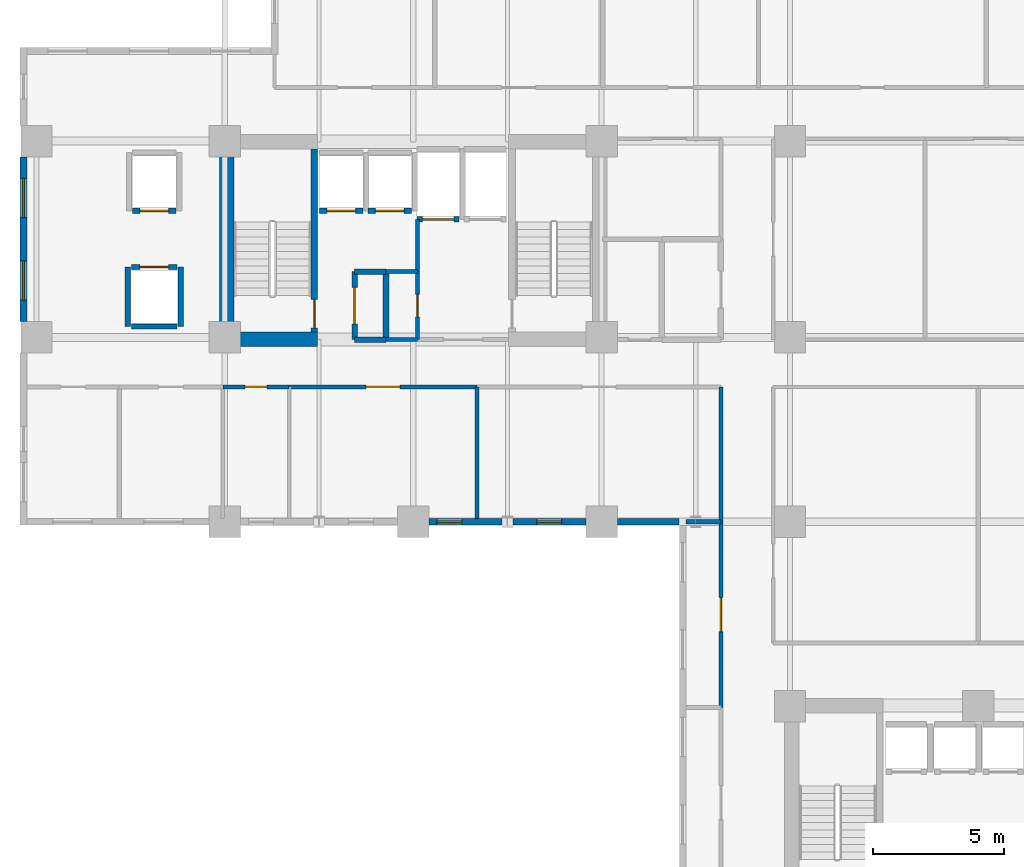
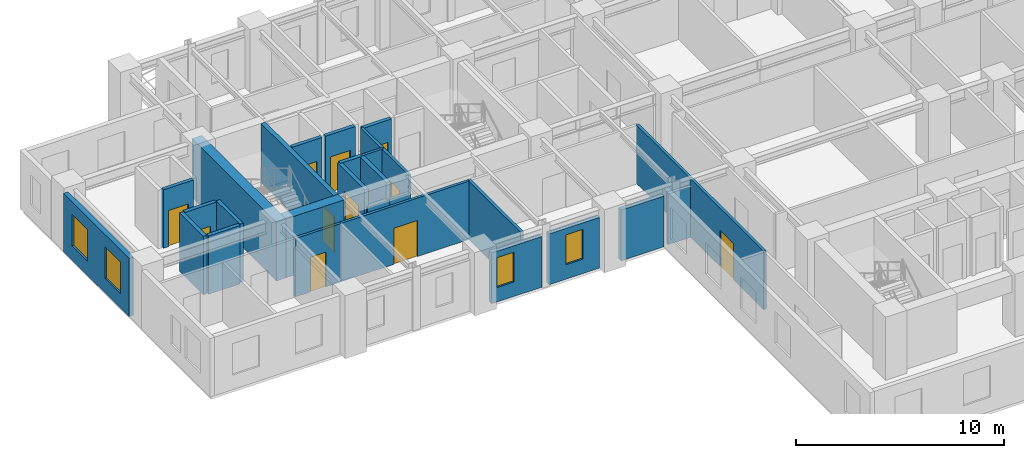
# One storey, part 3 of 11: 29 walls, 11 doors, 4 windows, 15 openings.
"""IFC4 building model written with IfcOpenShell, lengths in metres."""

from ifc_helpers import new_model, si_unit, direction, frame, frame_2d, origin, place, context, subcontext, project, spatial, rectangle, extrude, material, layer, layer_set, type_object, element, fill, save


model = new_model("IFC4")

# Units and contexts
model_context = context("Model", 3, precision=1e-05, world=origin(), true_north=direction((0.0, 1.0)))
body_context = subcontext(model_context, "Body", "Model", "MODEL_VIEW")
ifc_project = project(units=[si_unit("LENGTHUNIT", "METRE"), si_unit("AREAUNIT", "SQUARE_METRE"), si_unit("VOLUMEUNIT", "CUBIC_METRE"), si_unit("PLANEANGLEUNIT", "RADIAN"), si_unit("MASSUNIT", "GRAM", prefix="KILO")], contexts=[model_context])

# Site, building, storey
site_placement = place(None, origin())
site = spatial("IfcSite", under=ifc_project, at=site_placement, CompositionType="ELEMENT")
building_placement = place(site_placement, origin())
building = spatial("IfcBuilding", under=site, at=building_placement, Name="Kaliganga Portal Commons", CompositionType="ELEMENT")
storey_placement = place(building_placement, frame((0.0, 0.0, 115.60009765625)))
storey = spatial("IfcBuildingStorey", under=building, at=storey_placement, Name="L29", CompositionType="ELEMENT", Elevation=115.60009765625)

# Walls
ifc_material_1 = material(Name="Concrete C60/75", Category="concrete")
ifc_layer_1 = layer(ifc_material_1, 0.550048828125)
ifc_layer_set_1 = layer_set([ifc_layer_1], Name="Concrete C60/75")
wall_type_1 = type_object("IfcWallType", Name="WL-CORE-550", PredefinedType="SHEAR", material=ifc_layer_set_1)
wall_1_placement = place(storey_placement, frame((14.47509765625, 28.300048828125, 0.0), z_axis=(0.0, 0.0, 1.0), x_axis=(0.0, 1.0, 0.0)))
element("IfcWall", 1, at=wall_1_placement, inside=storey, type_object=wall_type_1, Name="Core A West Shear Wall L29", PredefinedType="SHEAR", context=body_context, shape_type="SweptSolid", body=[
    extrude(rectangle(XDim=8.099853515625, YDim=0.550048828125, at=frame_2d((4.0498046875, 0.0))), origin(), (0.0, 0.0, 1.0), 3.449951171875),
])
wall_2_placement = place(storey_placement, frame((14.75, 28.574951171875, 0.0), z_axis=(0.0, 0.0, 1.0), x_axis=(1.0, 0.0, 0.0)))
element("IfcWall", 2, at=wall_2_placement, inside=storey, type_object=wall_type_1, Name="Core A S-West Shear Wall L29", PredefinedType="SHEAR", context=body_context, shape_type="SweptSolid", body=[
    extrude(rectangle(XDim=3.199951171875, YDim=0.550048828125, at=frame_2d((1.60009765625, 0.0))), origin(), (0.0, 0.0, 1.0), 3.449951171875),
])

# Wall, openings, windows
ifc_material_2 = material(Name="Insulated Aluminium-Clad Spandrel Assembly", Category="aluminium")
ifc_layer_2 = layer(ifc_material_2, 0.260009765625)
ifc_layer_set_2 = layer_set([ifc_layer_2], Name="Insulated Aluminium-Clad Spandrel Assembly")
wall_type_2 = type_object("IfcWallType", Name="WL-EXT-SPAND-260", PredefinedType="STANDARD", material=ifc_layer_set_2)
wall_3_placement = place(storey_placement, frame((6.699951171875, 29.2509765625, 0.0), z_axis=(0.0, 0.0, 1.0), x_axis=(0.0, 1.0, 0.0)))
wall_3 = element("IfcWall", 3, at=wall_3_placement, inside=storey, type_object=wall_type_2, Name="Exterior Envelope Wall L29 P1-E09-S2", PredefinedType="STANDARD", context=body_context, shape_type="SweptSolid", body=[
    extrude(rectangle(XDim=6.298095703125, YDim=0.260009765625, at=frame_2d((3.14892578125, 0.0))), origin(), (0.0, 0.0, 1.0), 3.429931640625),
])
opening_1_placement = place(wall_3_placement, frame((0.824462890625, 0.0, 0.85009765625)))
opening_1 = element("IfcOpeningElement", 4, at=opening_1_placement, cuts=wall_3, Name="Opening W-02", PredefinedType="OPENING", context=body_context, shape_type="SweptSolid", body=[
    extrude(rectangle(XDim=1.5, YDim=1.85009765625, at=frame_2d((0.75, 0.925048828125))), frame((0.0, 0.14013671875, 0.0), z_axis=(0.0, -1.0, 0.0), x_axis=(1.0, 0.0, 0.0)), (0.0, 0.0, 1.0), 0.280029296875),
])
opening_2_placement = place(wall_3_placement, frame((3.973388671875, 0.0, 0.85009765625)))
opening_2 = element("IfcOpeningElement", 5, at=opening_2_placement, cuts=wall_3, Name="Opening W-02", PredefinedType="OPENING", context=body_context, shape_type="SweptSolid", body=[
    extrude(rectangle(XDim=1.5, YDim=1.85009765625, at=frame_2d((0.75, 0.925048828125))), frame((0.0, 0.14013671875, 0.0), z_axis=(0.0, -1.0, 0.0), x_axis=(1.0, 0.0, 0.0)), (0.0, 0.0, 1.0), 0.280029296875),
])
ifc_material_3 = material(Name="Thermally Broken Aluminium and Low-E Double Glazing", Category="aluminium")
window_type_1 = type_object("IfcWindowType", Name="WIN-STD-1500", PartitioningType="DOUBLE_PANEL_VERTICAL", PredefinedType="WINDOW", material=ifc_material_3)
window_1_placement = place(opening_1_placement, origin())
window_1 = element("IfcWindow", 6, at=window_1_placement, inside=storey, type_object=window_type_1, Name="Facade Window L29-P1E09S2-00", OverallHeight=1.85009765625, OverallWidth=1.5, PartitioningType="SINGLE_PANEL", PredefinedType="WINDOW", context=body_context, shape_type="SweptSolid", body=[
    extrude(rectangle(XDim=1.5, YDim=1.85009765625, at=frame_2d((0.75, 0.925048828125))), frame((0.0, 0.030029296875, 0.0), z_axis=(0.0, -1.0, 0.0), x_axis=(1.0, 0.0, 0.0)), (0.0, 0.0, 1.0), 0.06005859375),
])
fill(opening_1, window_1)
window_2_placement = place(opening_2_placement, origin())
window_2 = element("IfcWindow", 7, at=window_2_placement, inside=storey, type_object=window_type_1, Name="Facade Window L29-P1E09S2-01", OverallHeight=1.85009765625, OverallWidth=1.5, PartitioningType="SINGLE_PANEL", PredefinedType="WINDOW", context=body_context, shape_type="SweptSolid", body=[
    extrude(rectangle(XDim=1.5, YDim=1.85009765625, at=frame_2d((0.75, 0.925048828125))), frame((0.0, 0.030029296875, 0.0), z_axis=(0.0, -1.0, 0.0), x_axis=(1.0, 0.0, 0.0)), (0.0, 0.0, 1.0), 0.06005859375),
])
fill(opening_2, window_2)

# Wall, opening, window
wall_4_placement = place(storey_placement, frame((24.994384765625, 21.60009765625, 0.0), z_axis=(0.0, 0.0, 1.0), x_axis=(-1.0, 0.0, 0.0)))
wall_4 = element("IfcWall", 8, at=wall_4_placement, inside=storey, type_object=wall_type_2, Name="Exterior Envelope Wall L29 P1-E10-S4", PredefinedType="STANDARD", context=body_context, shape_type="SweptSolid", body=[
    extrude(rectangle(XDim=2.79345703125, YDim=0.260009765625, at=frame_2d((1.396728515625, 0.0))), origin(), (0.0, 0.0, 1.0), 2.97998046875),
])
opening_3_placement = place(wall_4_placement, frame((1.536376953125, 0.0, 0.85009765625)))
opening_3 = element("IfcOpeningElement", 9, at=opening_3_placement, cuts=wall_4, Name="Opening W-04", PredefinedType="OPENING", context=body_context, shape_type="SweptSolid", body=[
    extrude(rectangle(XDim=0.949951171875, YDim=1.75, at=frame_2d((0.47509765625, 0.875))), frame((0.0, 0.14013671875, 0.0), z_axis=(0.0, -1.0, 0.0), x_axis=(1.0, 0.0, 0.0)), (0.0, 0.0, 1.0), 0.280029296875),
])
window_type_2 = type_object("IfcWindowType", Name="WIN-NARROW-950", PartitioningType="SINGLE_PANEL", PredefinedType="WINDOW", material=ifc_material_3)
window_3_placement = place(opening_3_placement, origin())
window_3 = element("IfcWindow", 10, at=window_3_placement, inside=storey, type_object=window_type_2, Name="Facade Window L29-P1E10S4-N4", OverallHeight=1.75, OverallWidth=0.949951171875, PartitioningType="SINGLE_PANEL", PredefinedType="WINDOW", context=body_context, shape_type="SweptSolid", body=[
    extrude(rectangle(XDim=0.949951171875, YDim=1.75, at=frame_2d((0.47509765625, 0.875))), frame((0.0, 0.030029296875, 0.0), z_axis=(0.0, -1.0, 0.0), x_axis=(1.0, 0.0, 0.0)), (0.0, 0.0, 1.0), 0.06005859375),
])
fill(opening_3, window_3)

wall_5_placement = place(storey_placement, frame((28.198974609375, 21.60009765625, 0.0), z_axis=(0.0, 0.0, 1.0), x_axis=(-1.0, 0.0, 0.0)))
wall_5 = element("IfcWall", 11, at=wall_5_placement, inside=storey, type_object=wall_type_2, Name="Exterior Envelope Wall L29 P1-E10-S5", PredefinedType="STANDARD", context=body_context, shape_type="SweptSolid", body=[
    extrude(rectangle(XDim=2.79345703125, YDim=0.260009765625, at=frame_2d((1.396728515625, 0.0))), origin(), (0.0, 0.0, 1.0), 2.97998046875),
])
opening_4_placement = place(wall_5_placement, frame((0.921875, 0.0, 0.85009765625)))
opening_4 = element("IfcOpeningElement", 12, at=opening_4_placement, cuts=wall_5, Name="Opening W-04", PredefinedType="OPENING", context=body_context, shape_type="SweptSolid", body=[
    extrude(rectangle(XDim=0.949951171875, YDim=1.75, at=frame_2d((0.47509765625, 0.875))), frame((0.0, 0.14013671875, 0.0), z_axis=(0.0, -1.0, 0.0), x_axis=(1.0, 0.0, 0.0)), (0.0, 0.0, 1.0), 0.280029296875),
])
window_4_placement = place(opening_4_placement, origin())
window_4 = element("IfcWindow", 13, at=window_4_placement, inside=storey, type_object=window_type_2, Name="Facade Window L29-P1E10S5-00", OverallHeight=1.75, OverallWidth=0.949951171875, PartitioningType="SINGLE_PANEL", PredefinedType="WINDOW", context=body_context, shape_type="SweptSolid", body=[
    extrude(rectangle(XDim=0.949951171875, YDim=1.75, at=frame_2d((0.47509765625, 0.875))), frame((0.0, 0.030029296875, 0.0), z_axis=(0.0, -1.0, 0.0), x_axis=(1.0, 0.0, 0.0)), (0.0, 0.0, 1.0), 0.06005859375),
])
fill(opening_4, window_4)

# Wall
wall_6_placement = place(storey_placement, frame((31.764892578125, 21.60009765625, 0.0), z_axis=(0.0, 0.0, 1.0), x_axis=(-1.0, 0.0, 0.0)))
element("IfcWall", 14, at=wall_6_placement, inside=storey, type_object=wall_type_2, Name="Exterior Envelope Wall L29 P1-E10-S6", PredefinedType="STANDARD", context=body_context, shape_type="SweptSolid", body=[
    extrude(rectangle(XDim=2.364013671875, YDim=0.260009765625, at=frame_2d((1.18212890625, 0.0))), origin(), (0.0, 0.0, 1.0), 2.97998046875),
])

# Wall, opening, door
ifc_material_4 = material(Name="Fire-Rated Gypsum Board on Steel Stud", Category="steel")
ifc_layer_3 = layer(ifc_material_4, 0.14990234375)
ifc_layer_set_3 = layer_set([ifc_layer_3], Name="Fire-Rated Gypsum Board on Steel Stud")
wall_type_3 = type_object("IfcWallType", Name="WL-PART-CORR-150", PredefinedType="PARTITIONING", material=ifc_layer_set_3)
wall_7_placement = place(storey_placement, frame((16.860107421875, 26.760009765625, 0.0), z_axis=(0.0, 0.0, 1.0), x_axis=(1.0, 0.0, 0.0)))
wall_7 = element("IfcWall", 15, at=wall_7_placement, inside=storey, type_object=wall_type_3, Name="Interior Partition L29-012", PredefinedType="PARTITIONING", context=body_context, shape_type="SweptSolid", body=[
    extrude(rectangle(XDim=7.179931640625, YDim=0.14990234375, at=frame_2d((3.58984375, 0.0))), origin(), (0.0, 0.0, 1.0), 3.429931640625),
])
opening_5_placement = place(wall_7_placement, frame((2.93994140625, 0.0, 0.0)))
opening_5 = element("IfcOpeningElement", 16, at=opening_5_placement, cuts=wall_7, Name="Opening RD-03", PredefinedType="OPENING", context=body_context, shape_type="SweptSolid", body=[
    extrude(rectangle(XDim=1.300048828125, YDim=2.1201171875, at=frame_2d((0.64990234375, 1.06005859375))), frame((0.0, 0.0849609375, 0.0), z_axis=(0.0, -1.0, 0.0), x_axis=(1.0, 0.0, 0.0)), (0.0, 0.0, 1.0), 0.169921875),
])
ifc_material_5 = material(Name="Glazed Timber Seminar Vision Door", Category="wood")
door_type_1 = type_object("IfcDoorType", Name="DR-STUDY-1300", OperationType="DOUBLE_DOOR_SINGLE_SWING", PredefinedType="DOOR", material=ifc_material_5)
door_1_placement = place(opening_5_placement, origin())
door_1 = element("IfcDoor", 17, at=door_1_placement, inside=storey, type_object=door_type_1, Name="Interior Door L29-AS04", OperationType="DOUBLE_DOOR_SINGLE_SWING", OverallHeight=2.1201171875, OverallWidth=1.300048828125, PredefinedType="DOOR", context=body_context, shape_type="SweptSolid", body=[
    extrude(rectangle(XDim=1.300048828125, YDim=2.1201171875, at=frame_2d((0.64990234375, 1.06005859375))), frame((0.0, 0.02490234375, 0.0), z_axis=(0.0, -1.0, 0.0), x_axis=(1.0, 0.0, 0.0)), (0.0, 0.0, 1.0), 0.050048828125),
])
fill(opening_5, door_1)

wall_8_placement = place(storey_placement, frame((33.360107421875, 14.5, 0.0), z_axis=(0.0, 0.0, 1.0), x_axis=(0.0, 1.0, 0.0)))
wall_8 = element("IfcWall", 18, at=wall_8_placement, inside=storey, type_object=wall_type_3, Name="Interior Partition L29-013", PredefinedType="PARTITIONING", context=body_context, shape_type="SweptSolid", body=[
    extrude(rectangle(XDim=7.10009765625, YDim=0.14990234375, at=frame_2d((3.550048828125, 0.0))), origin(), (0.0, 0.0, 1.0), 3.429931640625),
])
opening_6_placement = place(wall_8_placement, frame((2.89990234375, 0.0, 0.0)))
opening_6 = element("IfcOpeningElement", 19, at=opening_6_placement, cuts=wall_8, Name="Opening RD-03", PredefinedType="OPENING", context=body_context, shape_type="SweptSolid", body=[
    extrude(rectangle(XDim=1.300048828125, YDim=2.1201171875, at=frame_2d((0.64990234375, 1.06005859375))), frame((0.0, 0.0849609375, 0.0), z_axis=(0.0, -1.0, 0.0), x_axis=(1.0, 0.0, 0.0)), (0.0, 0.0, 1.0), 0.169921875),
])
door_2_placement = place(opening_6_placement, origin())
door_2 = element("IfcDoor", 20, at=door_2_placement, inside=storey, type_object=door_type_1, Name="Interior Door L29-KW02", OperationType="DOUBLE_DOOR_SINGLE_SWING", OverallHeight=2.1201171875, OverallWidth=1.300048828125, PredefinedType="DOOR", context=body_context, shape_type="SweptSolid", body=[
    extrude(rectangle(XDim=1.300048828125, YDim=2.1201171875, at=frame_2d((0.64990234375, 1.06005859375))), frame((0.0, 0.02490234375, 0.0), z_axis=(0.0, -1.0, 0.0), x_axis=(1.0, 0.0, 0.0)), (0.0, 0.0, 1.0), 0.050048828125),
])
fill(opening_6, door_2)

# Wall
wall_9_placement = place(storey_placement, frame((33.360107421875, 21.60009765625, 0.0), z_axis=(0.0, 0.0, 1.0), x_axis=(0.0, 1.0, 0.0)))
element("IfcWall", 21, at=wall_9_placement, inside=storey, type_object=wall_type_3, Name="Interior Partition L29-022", PredefinedType="PARTITIONING", context=body_context, shape_type="SweptSolid", body=[
    extrude(rectangle(XDim=5.159912109375, YDim=0.14990234375, at=frame_2d((2.580078125, 0.0))), origin(), (0.0, 0.0, 1.0), 3.429931640625),
])

# Wall, opening, door
wall_10_placement = place(storey_placement, frame((21.760009765625, 28.56005859375, 0.0), z_axis=(0.0, 0.0, 1.0), x_axis=(0.0, 1.0, 0.0)))
wall_10 = element("IfcWall", 22, at=wall_10_placement, inside=storey, type_object=wall_type_3, Name="Interior Partition L29-032", PredefinedType="PARTITIONING", context=body_context, shape_type="SweptSolid", body=[
    extrude(rectangle(XDim=2.599853515625, YDim=0.14990234375, at=frame_2d((1.2998046875, 0.0))), origin(), (0.0, 0.0, 1.0), 3.429931640625),
])
opening_7_placement = place(wall_10_placement, frame((0.8701171875, 0.0, 0.0)))
opening_7 = element("IfcOpeningElement", 23, at=opening_7_placement, cuts=wall_10, Name="Opening WD-02", PredefinedType="OPENING", context=body_context, shape_type="SweptSolid", body=[
    extrude(rectangle(XDim=0.860107421875, YDim=2.02001953125, at=frame_2d((0.43017578125, 1.010009765625))), frame((0.0, 0.0849609375, 0.0), z_axis=(0.0, -1.0, 0.0), x_axis=(1.0, 0.0, 0.0)), (0.0, 0.0, 1.0), 0.169921875),
])
ifc_material_6 = material(Name="Fire-Rated Utility Closet Door", Category="wood")
door_type_2 = type_object("IfcDoorType", Name="DR-STORE-800", OperationType="NOTDEFINED", PredefinedType="DOOR", material=ifc_material_6)
door_3_placement = place(opening_7_placement, origin())
door_3 = element("IfcDoor", 24, at=door_3_placement, inside=storey, type_object=door_type_2, Name="Interior Door L29-CIN_A2", OperationType="SINGLE_SWING_RIGHT", OverallHeight=2.02001953125, OverallWidth=0.860107421875, PredefinedType="DOOR", context=body_context, shape_type="SweptSolid", body=[
    extrude(rectangle(XDim=0.860107421875, YDim=2.02001953125, at=frame_2d((0.43017578125, 1.010009765625))), frame((0.0, 0.02490234375, 0.0), z_axis=(0.0, -1.0, 0.0), x_axis=(1.0, 0.0, 0.0)), (0.0, 0.0, 1.0), 0.050048828125),
])
fill(opening_7, door_3)

wall_11_placement = place(storey_placement, frame((14.320068359375, 26.760009765625, 0.0), z_axis=(0.0, 0.0, 1.0), x_axis=(1.0, 0.0, 0.0)))
wall_11 = element("IfcWall", 25, at=wall_11_placement, inside=storey, type_object=wall_type_3, Name="Interior Partition L29-034", PredefinedType="PARTITIONING", context=body_context, shape_type="SweptSolid", body=[
    extrude(rectangle(XDim=2.5400390625, YDim=0.14990234375, at=frame_2d((1.27001953125, 0.0))), origin(), (0.0, 0.0, 1.0), 3.429931640625),
])
opening_8_placement = place(wall_11_placement, frame((0.844970703125, 0.0, 0.0)))
opening_8 = element("IfcOpeningElement", 26, at=opening_8_placement, cuts=wall_11, Name="Opening WD-01", PredefinedType="OPENING", context=body_context, shape_type="SweptSolid", body=[
    extrude(rectangle(XDim=0.85009765625, YDim=2.0400390625, at=frame_2d((0.425048828125, 1.02001953125))), frame((0.0, 0.0849609375, 0.0), z_axis=(0.0, -1.0, 0.0), x_axis=(1.0, 0.0, 0.0)), (0.0, 0.0, 1.0), 0.169921875),
])
ifc_material_7 = material(Name="Moisture-Resistant Laminate Timber Door", Category="wood")
door_type_3 = type_object("IfcDoorType", Name="DR-WET-850", OperationType="NOTDEFINED", PredefinedType="DOOR", material=ifc_material_7)
door_4_placement = place(opening_8_placement, origin())
door_4 = element("IfcDoor", 27, at=door_4_placement, inside=storey, type_object=door_type_3, Name="Interior Door L29-AS03", OperationType="SINGLE_SWING_RIGHT", OverallHeight=2.0400390625, OverallWidth=0.85009765625, PredefinedType="DOOR", context=body_context, shape_type="SweptSolid", body=[
    extrude(rectangle(XDim=0.85009765625, YDim=2.0400390625, at=frame_2d((0.425048828125, 1.02001953125))), frame((0.0, 0.02490234375, 0.0), z_axis=(0.0, -1.0, 0.0), x_axis=(1.0, 0.0, 0.0)), (0.0, 0.0, 1.0), 0.050048828125),
])
fill(opening_8, door_4)

# Walls
wall_12_placement = place(storey_placement, frame((20.56005859375, 28.56005859375, 0.0), z_axis=(0.0, 0.0, 1.0), x_axis=(1.0, 0.0, 0.0)))
element("IfcWall", 28, at=wall_12_placement, inside=storey, type_object=wall_type_3, Name="Interior Partition L29-039", PredefinedType="PARTITIONING", context=body_context, shape_type="SweptSolid", body=[
    extrude(rectangle(XDim=1.199951171875, YDim=0.14990234375, at=frame_2d((0.60009765625, 0.0))), origin(), (0.0, 0.0, 1.0), 2.429931640625),
])
wall_13_placement = place(storey_placement, frame((20.56005859375, 31.159912109375, 0.0), z_axis=(0.0, 0.0, 1.0), x_axis=(1.0, 0.0, 0.0)))
element("IfcWall", 29, at=wall_13_placement, inside=storey, type_object=wall_type_3, Name="Interior Partition L29-040", PredefinedType="PARTITIONING", context=body_context, shape_type="SweptSolid", body=[
    extrude(rectangle(XDim=1.199951171875, YDim=0.14990234375, at=frame_2d((0.60009765625, 0.0))), origin(), (0.0, 0.0, 1.0), 3.429931640625),
])
wall_14_placement = place(storey_placement, frame((21.760009765625, 31.159912109375, 0.0), z_axis=(0.0, 0.0, 1.0), x_axis=(0.0, 1.0, 0.0)))
element("IfcWall", 30, at=wall_14_placement, inside=storey, type_object=wall_type_3, Name="Interior Partition L29-077", PredefinedType="PARTITIONING", context=body_context, shape_type="SweptSolid", body=[
    extrude(rectangle(XDim=2.0, YDim=0.14990234375, at=frame_2d((1.0, 0.0))), origin(), (0.0, 0.0, 1.0), 3.429931640625),
])

# Wall, opening, door
ifc_material_8 = material(Name="Lightweight blockwork masonry", Category="masonry")
ifc_layer_4 = layer(ifc_material_8, 0.215087890625)
ifc_layer_set_4 = layer_set([ifc_layer_4], Name="Lightweight blockwork masonry")
wall_type_4 = type_object("IfcWallType", Name="WL-PART-PLANT-215", PredefinedType="PARTITIONING", material=ifc_layer_set_4)
wall_15_placement = place(storey_placement, frame((19.360107421875, 28.56005859375, 0.0), z_axis=(0.0, 0.0, 1.0), x_axis=(0.0, 1.0, 0.0)))
wall_15 = element("IfcWall", 31, at=wall_15_placement, inside=storey, type_object=wall_type_4, Name="Interior Partition L29-031", PredefinedType="PARTITIONING", context=body_context, shape_type="SweptSolid", body=[
    extrude(rectangle(XDim=2.599853515625, YDim=0.215087890625, at=frame_2d((1.2998046875, 0.0))), origin(), (0.0, 0.0, 1.0), 3.429931640625),
])
opening_9_placement = place(wall_15_placement, frame((0.60009765625, 0.0, 0.0)))
opening_9 = element("IfcOpeningElement", 32, at=opening_9_placement, cuts=wall_15, Name="Opening PD-01", PredefinedType="OPENING", context=body_context, shape_type="SweptSolid", body=[
    extrude(rectangle(XDim=1.39990234375, YDim=2.14990234375, at=frame_2d((0.699951171875, 1.074951171875))), frame((0.0, 0.11767578125, 0.0), z_axis=(0.0, -1.0, 0.0), x_axis=(1.0, 0.0, 0.0)), (0.0, 0.0, 1.0), 0.235107421875),
])
ifc_material_9 = material(Name="Heavy-Duty Steel Acoustic Louvre Fire Door", Category="steel")
door_type_4 = type_object("IfcDoorType", Name="DR-PLANT-1400", OperationType="DOUBLE_DOOR_SINGLE_SWING", PredefinedType="DOOR", material=ifc_material_9)
door_5_placement = place(opening_9_placement, origin())
door_5 = element("IfcDoor", 33, at=door_5_placement, inside=storey, type_object=door_type_4, Name="Interior Door L29-CIN_A1", OperationType="DOUBLE_DOOR_SINGLE_SWING", OverallHeight=2.14990234375, OverallWidth=1.39990234375, PredefinedType="DOOR", context=body_context, shape_type="SweptSolid", body=[
    extrude(rectangle(XDim=1.39990234375, YDim=2.14990234375, at=frame_2d((0.699951171875, 1.074951171875))), frame((0.0, 0.02490234375, 0.0), z_axis=(0.0, -1.0, 0.0), x_axis=(1.0, 0.0, 0.0)), (0.0, 0.0, 1.0), 0.050048828125),
])
fill(opening_9, door_5)

# Walls
wall_16_placement = place(storey_placement, frame((19.360107421875, 28.56005859375, 0.0), z_axis=(0.0, 0.0, 1.0), x_axis=(1.0, 0.0, 0.0)))
element("IfcWall", 34, at=wall_16_placement, inside=storey, type_object=wall_type_4, Name="Interior Partition L29-041", PredefinedType="PARTITIONING", context=body_context, shape_type="SweptSolid", body=[
    extrude(rectangle(XDim=1.199951171875, YDim=0.215087890625, at=frame_2d((0.60009765625, 0.0))), origin(), (0.0, 0.0, 1.0), 2.429931640625),
])
wall_17_placement = place(storey_placement, frame((19.360107421875, 31.159912109375, 0.0), z_axis=(0.0, 0.0, 1.0), x_axis=(1.0, 0.0, 0.0)))
element("IfcWall", 35, at=wall_17_placement, inside=storey, type_object=wall_type_4, Name="Interior Partition L29-042", PredefinedType="PARTITIONING", context=body_context, shape_type="SweptSolid", body=[
    extrude(rectangle(XDim=1.199951171875, YDim=0.215087890625, at=frame_2d((0.60009765625, 0.0))), origin(), (0.0, 0.0, 1.0), 3.429931640625),
])
wall_18_placement = place(storey_placement, frame((20.56005859375, 28.56005859375, 0.0), z_axis=(0.0, 0.0, 1.0), x_axis=(0.0, 1.0, 0.0)))
element("IfcWall", 36, at=wall_18_placement, inside=storey, type_object=wall_type_4, Name="Interior Partition L29-073", PredefinedType="PARTITIONING", context=body_context, shape_type="SweptSolid", body=[
    extrude(rectangle(XDim=2.599853515625, YDim=0.215087890625, at=frame_2d((1.2998046875, 0.0))), origin(), (0.0, 0.0, 1.0), 3.429931640625),
])
ifc_material_10 = material(Name="Twin-Stud Acoustic Gypsum Partition", Category="gypsum")
ifc_layer_5 = layer(ifc_material_10, 0.1650390625)
ifc_layer_set_5 = layer_set([ifc_layer_5], Name="Twin-Stud Acoustic Gypsum Partition")
wall_type_5 = type_object("IfcWallType", Name="WL-PART-UNIT-165", PredefinedType="PARTITIONING", material=ifc_layer_set_5)
wall_19_placement = place(storey_placement, frame((24.0400390625, 21.73193359375, 0.0), z_axis=(0.0, 0.0, 1.0), x_axis=(0.0, 1.0, 0.0)))
element("IfcWall", 37, at=wall_19_placement, inside=storey, type_object=wall_type_5, Name="Interior Partition L29-060", PredefinedType="PARTITIONING", context=body_context, shape_type="SweptSolid", body=[
    extrude(rectangle(XDim=5.028076171875, YDim=0.1650390625, at=frame_2d((2.51416015625, 0.0))), origin(), (0.0, 0.0, 1.0), 3.429931640625),
])
wall_20_placement = place(storey_placement, frame((32.031982421875, 21.60009765625, 0.0), z_axis=(0.0, 0.0, 1.0), x_axis=(1.0, 0.0, 0.0)))
element("IfcWall", 38, at=wall_20_placement, inside=storey, type_object=wall_type_5, Name="Interior Partition L29-079", PredefinedType="PARTITIONING", context=body_context, shape_type="SweptSolid", body=[
    extrude(rectangle(XDim=1.328125, YDim=0.1650390625, at=frame_2d((0.6640625, 0.0))), origin(), (0.0, 0.0, 1.0), 2.97998046875),
])

# Wall, opening, door
ifc_material_11 = material(Name="Fire-Rated Shaftwall Masonry Assembly", Category="masonry")
ifc_layer_6 = layer(ifc_material_11, 0.199951171875)
ifc_layer_set_6 = layer_set([ifc_layer_6], Name="Fire-Rated Shaftwall Masonry Assembly")
wall_type_6 = type_object("IfcWallType", Name="WL-SHAFT-200", PredefinedType="PARTITIONING", material=ifc_layer_set_6)
wall_21_placement = place(storey_placement, frame((18.02490234375, 33.485107421875, 0.0), z_axis=(0.0, 0.0, 1.0), x_axis=(1.0, 0.0, 0.0)))
wall_21 = element("IfcWall", 39, at=wall_21_placement, inside=storey, type_object=wall_type_6, Name="Lift PL-A1 Hoistway Shaft Wall L29-S", PredefinedType="PARTITIONING", context=body_context, shape_type="SweptSolid", body=[
    extrude(rectangle(XDim=1.650146484375, YDim=0.199951171875, at=frame_2d((0.8251953125, 0.0))), origin(), (0.0, 0.0, 1.0), 3.429931640625),
])
opening_10_placement = place(wall_21_placement, frame((0.27490234375, 0.0, 0.0)))
opening_10 = element("IfcOpeningElement", 40, at=opening_10_placement, cuts=wall_21, Name="Opening LD-01", PredefinedType="OPENING", context=body_context, shape_type="SweptSolid", body=[
    extrude(rectangle(XDim=1.10009765625, YDim=2.1201171875, at=frame_2d((0.550048828125, 1.06005859375))), frame((0.0, 0.10986328125, 0.0), z_axis=(0.0, -1.0, 0.0), x_axis=(1.0, 0.0, 0.0)), (0.0, 0.0, 1.0), 0.219970703125),
])
ifc_material_12 = material(Name="Brushed Stainless Steel 316 Lift Landing Door", Category="steel")
door_type_5 = type_object("IfcDoorType", Name="DR-LIFT-1100", OperationType="SLIDING_TO_LEFT", PredefinedType="DOOR", material=ifc_material_12)
door_6_placement = place(opening_10_placement, origin())
door_6 = element("IfcDoor", 41, at=door_6_placement, inside=storey, type_object=door_type_5, Name="Lift PL-A1 Sliding Landing Door L29", OperationType="SLIDING_TO_LEFT", OverallHeight=2.1201171875, OverallWidth=1.10009765625, PredefinedType="DOOR", context=body_context, shape_type="SweptSolid", body=[
    extrude(rectangle(XDim=1.10009765625, YDim=2.1201171875, at=frame_2d((0.550048828125, 1.06005859375))), frame((0.0, 0.02490234375, 0.0), z_axis=(0.0, -1.0, 0.0), x_axis=(1.0, 0.0, 0.0)), (0.0, 0.0, 1.0), 0.050048828125),
])
fill(opening_10, door_6)

wall_22_placement = place(storey_placement, frame((19.875, 33.485107421875, 0.0), z_axis=(0.0, 0.0, 1.0), x_axis=(1.0, 0.0, 0.0)))
wall_22 = element("IfcWall", 42, at=wall_22_placement, inside=storey, type_object=wall_type_6, Name="Lift PL-A2 Hoistway Shaft Wall L29-S", PredefinedType="PARTITIONING", context=body_context, shape_type="SweptSolid", body=[
    extrude(rectangle(XDim=1.64990234375, YDim=0.199951171875, at=frame_2d((0.824951171875, 0.0))), origin(), (0.0, 0.0, 1.0), 3.429931640625),
])
opening_11_placement = place(wall_22_placement, frame((0.27490234375, 0.0, 0.0)))
opening_11 = element("IfcOpeningElement", 43, at=opening_11_placement, cuts=wall_22, Name="Opening LD-01", PredefinedType="OPENING", context=body_context, shape_type="SweptSolid", body=[
    extrude(rectangle(XDim=1.10009765625, YDim=2.1201171875, at=frame_2d((0.550048828125, 1.06005859375))), frame((0.0, 0.10986328125, 0.0), z_axis=(0.0, -1.0, 0.0), x_axis=(1.0, 0.0, 0.0)), (0.0, 0.0, 1.0), 0.219970703125),
])
door_7_placement = place(opening_11_placement, origin())
door_7 = element("IfcDoor", 44, at=door_7_placement, inside=storey, type_object=door_type_5, Name="Lift PL-A2 Sliding Landing Door L29", OperationType="SLIDING_TO_LEFT", OverallHeight=2.1201171875, OverallWidth=1.10009765625, PredefinedType="DOOR", context=body_context, shape_type="SweptSolid", body=[
    extrude(rectangle(XDim=1.10009765625, YDim=2.1201171875, at=frame_2d((0.550048828125, 1.06005859375))), frame((0.0, 0.02490234375, 0.0), z_axis=(0.0, -1.0, 0.0), x_axis=(1.0, 0.0, 0.0)), (0.0, 0.0, 1.0), 0.050048828125),
])
fill(opening_11, door_7)

# Wall
wall_23_placement = place(storey_placement, frame((10.824951171875, 29.06005859375, 0.0), z_axis=(0.0, 0.0, 1.0), x_axis=(1.0, 0.0, 0.0)))
element("IfcWall", 45, at=wall_23_placement, inside=storey, type_object=wall_type_6, Name="Lift SH-1 Hoistway Shaft Wall L29-S", PredefinedType="PARTITIONING", context=body_context, shape_type="SweptSolid", body=[
    extrude(rectangle(XDim=1.75, YDim=0.199951171875, at=frame_2d((0.875, 0.0))), origin(), (0.0, 0.0, 1.0), 3.429931640625),
])

# Wall, opening, door
wall_24_placement = place(storey_placement, frame((10.824951171875, 31.340087890625, 0.0), z_axis=(0.0, 0.0, 1.0), x_axis=(1.0, 0.0, 0.0)))
wall_24 = element("IfcWall", 46, at=wall_24_placement, inside=storey, type_object=wall_type_6, Name="Lift SH-1 Hoistway Shaft Wall L29-N", PredefinedType="PARTITIONING", context=body_context, shape_type="SweptSolid", body=[
    extrude(rectangle(XDim=1.75, YDim=0.199951171875, at=frame_2d((0.875, 0.0))), origin(), (0.0, 0.0, 1.0), 3.429931640625),
])
opening_12_placement = place(wall_24_placement, frame((0.324951171875, 0.0, 0.0)))
opening_12 = element("IfcOpeningElement", 47, at=opening_12_placement, cuts=wall_24, Name="Opening LD-01", PredefinedType="OPENING", context=body_context, shape_type="SweptSolid", body=[
    extrude(rectangle(XDim=1.10009765625, YDim=2.1201171875, at=frame_2d((0.550048828125, 1.06005859375))), frame((0.0, 0.10986328125, 0.0), z_axis=(0.0, -1.0, 0.0), x_axis=(1.0, 0.0, 0.0)), (0.0, 0.0, 1.0), 0.219970703125),
])
door_8_placement = place(opening_12_placement, origin())
door_8 = element("IfcDoor", 48, at=door_8_placement, inside=storey, type_object=door_type_5, Name="Lift SH-1 Sliding Landing Door L29", OperationType="SLIDING_TO_LEFT", OverallHeight=2.1201171875, OverallWidth=1.10009765625, PredefinedType="DOOR", context=body_context, shape_type="SweptSolid", body=[
    extrude(rectangle(XDim=1.10009765625, YDim=2.1201171875, at=frame_2d((0.550048828125, 1.06005859375))), frame((0.0, 0.02490234375, 0.0), z_axis=(0.0, -1.0, 0.0), x_axis=(1.0, 0.0, 0.0)), (0.0, 0.0, 1.0), 0.050048828125),
])
fill(opening_12, door_8)

# Walls
for number, where, z_axis, x_axis, name in (
    (49, (10.68505859375, 29.06005859375, 0.0), (0.0, 0.0, 1.0), (0.0, 1.0, 0.0), "Lift SH-1 Hoistway Shaft Wall L29-W"),
    (50, (12.715087890625, 29.06005859375, 0.0), (0.0, 0.0, 1.0), (0.0, 1.0, 0.0), "Lift SH-1 Hoistway Shaft Wall L29-E"),
):
    element("IfcWall", number, at=place(storey_placement, frame(where, z_axis=z_axis, x_axis=x_axis)), inside=storey, type_object=wall_type_6, Name=name, PredefinedType="PARTITIONING", context=body_context, shape_type="SweptSolid", body=[
        extrude(rectangle(XDim=2.280029296875, YDim=0.199951171875, at=frame_2d((1.14013671875, 0.0))), origin(), (0.0, 0.0, 1.0), 3.429931640625),
    ])

# Wall, opening, door
wall_25_placement = place(storey_placement, frame((10.875, 33.485107421875, 0.0), z_axis=(0.0, 0.0, 1.0), x_axis=(1.0, 0.0, 0.0)))
wall_25 = element("IfcWall", 51, at=wall_25_placement, inside=storey, type_object=wall_type_6, Name="Lift PL-OBS Hoistway Shaft Wall L29-S", PredefinedType="PARTITIONING", context=body_context, shape_type="SweptSolid", body=[
    extrude(rectangle(XDim=1.64990234375, YDim=0.199951171875, at=frame_2d((0.824951171875, 0.0))), origin(), (0.0, 0.0, 1.0), 3.429931640625),
])
opening_13_placement = place(wall_25_placement, frame((0.27490234375, 0.0, 0.0)))
opening_13 = element("IfcOpeningElement", 52, at=opening_13_placement, cuts=wall_25, Name="Opening LD-01", PredefinedType="OPENING", context=body_context, shape_type="SweptSolid", body=[
    extrude(rectangle(XDim=1.10009765625, YDim=2.1201171875, at=frame_2d((0.550048828125, 1.06005859375))), frame((0.0, 0.10986328125, 0.0), z_axis=(0.0, -1.0, 0.0), x_axis=(1.0, 0.0, 0.0)), (0.0, 0.0, 1.0), 0.219970703125),
])
door_9_placement = place(opening_13_placement, origin())
door_9 = element("IfcDoor", 53, at=door_9_placement, inside=storey, type_object=door_type_5, Name="Lift PL-OBS Sliding Landing Door L29", OperationType="SLIDING_TO_LEFT", OverallHeight=2.1201171875, OverallWidth=1.10009765625, PredefinedType="DOOR", context=body_context, shape_type="SweptSolid", body=[
    extrude(rectangle(XDim=1.10009765625, YDim=2.1201171875, at=frame_2d((0.550048828125, 1.06005859375))), frame((0.0, 0.02490234375, 0.0), z_axis=(0.0, -1.0, 0.0), x_axis=(1.0, 0.0, 0.0)), (0.0, 0.0, 1.0), 0.050048828125),
])
fill(opening_13, door_9)

wall_26_placement = place(storey_placement, frame((21.75, 33.159912109375, 0.0), z_axis=(0.0, 0.0, 1.0), x_axis=(1.0, 0.0, 0.0)))
wall_26 = element("IfcWall", 54, at=wall_26_placement, inside=storey, type_object=wall_type_6, Name="Lift FFL-1 Hoistway Shaft Wall L29-S", PredefinedType="PARTITIONING", context=body_context, shape_type="SweptSolid", body=[
    extrude(rectangle(XDim=1.60009765625, YDim=0.199951171875, at=frame_2d((0.800048828125, 0.0))), origin(), (0.0, 0.0, 1.0), 3.429931640625),
])
opening_14_placement = place(wall_26_placement, frame((0.199951171875, 0.0, 0.0)))
opening_14 = element("IfcOpeningElement", 55, at=opening_14_placement, cuts=wall_26, Name="Opening LD-02", PredefinedType="OPENING", context=body_context, shape_type="SweptSolid", body=[
    extrude(rectangle(XDim=1.199951171875, YDim=2.1201171875, at=frame_2d((0.60009765625, 1.06005859375))), frame((0.0, 0.10986328125, 0.0), z_axis=(0.0, -1.0, 0.0), x_axis=(1.0, 0.0, 0.0)), (0.0, 0.0, 1.0), 0.219970703125),
])
ifc_material_13 = material(Name="Brushed Stainless Steel 316 Stretcher Lift Landing Door", Category="steel")
door_type_6 = type_object("IfcDoorType", Name="DR-LIFT-1200", OperationType="SLIDING_TO_RIGHT", PredefinedType="DOOR", material=ifc_material_13)
door_10_placement = place(opening_14_placement, origin())
door_10 = element("IfcDoor", 56, at=door_10_placement, inside=storey, type_object=door_type_6, Name="Lift FFL-1 Sliding Landing Door L29", OperationType="SLIDING_TO_RIGHT", OverallHeight=2.1201171875, OverallWidth=1.199951171875, PredefinedType="DOOR", context=body_context, shape_type="SweptSolid", body=[
    extrude(rectangle(XDim=1.199951171875, YDim=2.1201171875, at=frame_2d((0.60009765625, 1.06005859375))), frame((0.0, 0.02490234375, 0.0), z_axis=(0.0, -1.0, 0.0), x_axis=(1.0, 0.0, 0.0)), (0.0, 0.0, 1.0), 0.050048828125),
])
fill(opening_14, door_10)

ifc_material_14 = material(Name="Concrete C50/60", Category="concrete")
ifc_layer_7 = layer(ifc_material_14, 0.25)
ifc_layer_set_7 = layer_set([ifc_layer_7], Name="Concrete C50/60")
wall_type_7 = type_object("IfcWallType", Name="WL-STAIR-250", PredefinedType="SHEAR", material=ifc_layer_set_7)
wall_27_placement = place(storey_placement, frame((17.824951171875, 28.85009765625, 0.0), z_axis=(0.0, 0.0, 1.0), x_axis=(0.0, 1.0, 0.0)))
wall_27 = element("IfcWall", 57, at=wall_27_placement, inside=storey, type_object=wall_type_7, Name="Stair A1 Enclosure Shear Wall L29", PredefinedType="SHEAR", context=body_context, shape_type="SweptSolid", body=[
    extrude(rectangle(XDim=7.0, YDim=0.25, at=frame_2d((3.5, 0.0))), origin(), (0.0, 0.0, 1.0), 3.449951171875),
])
opening_15_placement = place(wall_27_placement, frame((0.14990234375, 0.0, 0.0)))
opening_15 = element("IfcOpeningElement", 58, at=opening_15_placement, cuts=wall_27, Name="Opening SD-01", PredefinedType="OPENING", context=body_context, shape_type="SweptSolid", body=[
    extrude(rectangle(XDim=1.10009765625, YDim=2.080078125, at=frame_2d((0.550048828125, 1.0400390625))), frame((0.0, 0.135009765625, 0.0), z_axis=(0.0, -1.0, 0.0), x_axis=(1.0, 0.0, 0.0)), (0.0, 0.0, 1.0), 0.27001953125),
])
ifc_material_15 = material(Name="Galvanized Steel Fire Door Leaf and Frame", Category="steel")
door_type_7 = type_object("IfcDoorType", Name="DR-STAIR-1100", OperationType="NOTDEFINED", PredefinedType="DOOR", material=ifc_material_15)
door_11_placement = place(opening_15_placement, origin())
door_11 = element("IfcDoor", 59, at=door_11_placement, inside=storey, type_object=door_type_7, Name="Protected Stair ST-A1 Fire Door L29", OperationType="SINGLE_SWING_LEFT", OverallHeight=2.080078125, OverallWidth=1.10009765625, PredefinedType="DOOR", context=body_context, shape_type="SweptSolid", body=[
    extrude(rectangle(XDim=1.10009765625, YDim=2.080078125, at=frame_2d((0.550048828125, 1.0400390625))), frame((0.0, 0.02490234375, 0.0), z_axis=(0.0, -1.0, 0.0), x_axis=(1.0, 0.0, 0.0)), (0.0, 0.0, 1.0), 0.050048828125),
])
fill(opening_15, door_11)

save(model, "model.ifc")
